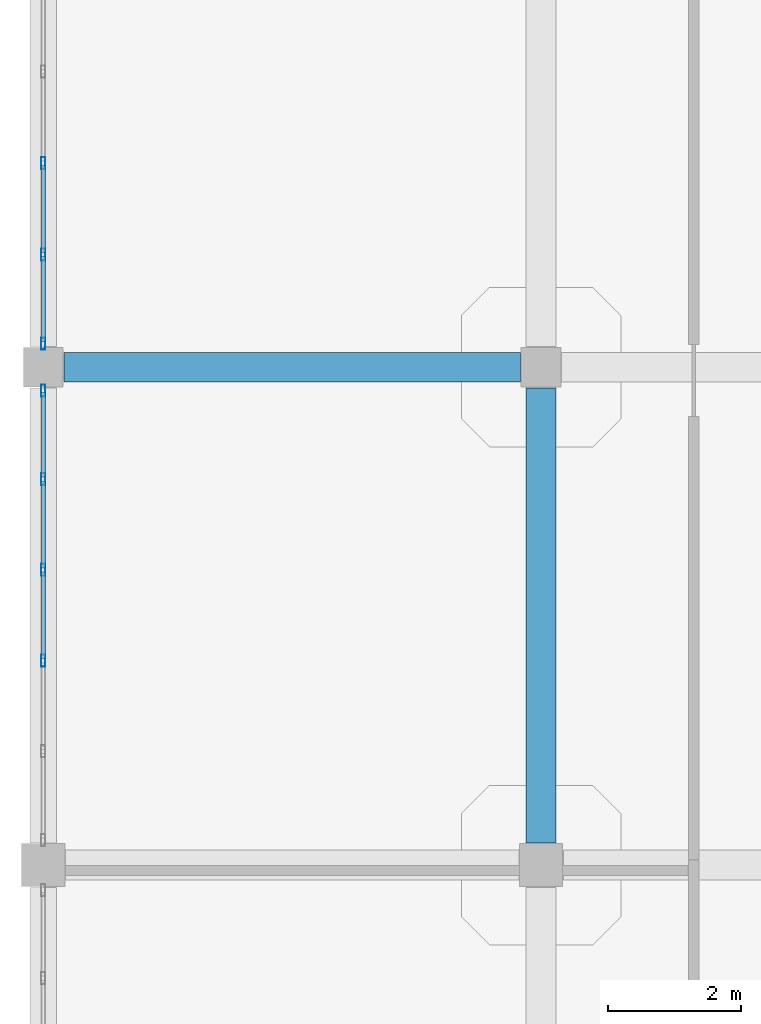
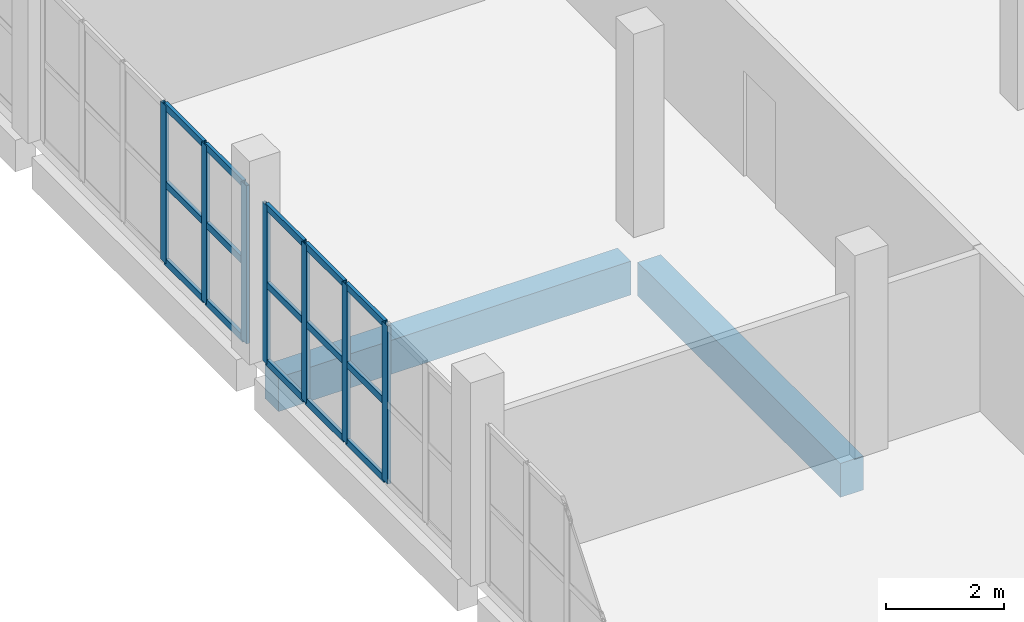
# One storey, part 37 of 164: 22 members, 2 beams, 2 elements without a shape of their own.
"""IFC4 building model written with IfcOpenShell, lengths in metres."""

from ifc_helpers import new_model, si_unit, direction, frame, origin, origin_2d, place, context, subcontext, project, spatial, rectangle, hollow_rectangle, extrude, material, layer, layer_set, material_profile, profile_set, type_object, element, aggregate, save


model = new_model("IFC4")

# Units and contexts
model_context = context("Model", 3, precision=1e-05, world=origin(), true_north=direction((0.0, 1.0)))
body_context = subcontext(model_context, "Body", "Model", "MODEL_VIEW")
ifc_project = project(units=[si_unit("LENGTHUNIT", "METRE"), si_unit("AREAUNIT", "SQUARE_METRE"), si_unit("VOLUMEUNIT", "CUBIC_METRE"), si_unit("PLANEANGLEUNIT", "RADIAN"), si_unit("MASSUNIT", "GRAM", prefix="KILO")], contexts=[model_context])

# Site, building, storey
site_placement = place(None, origin())
site = spatial("IfcSite", under=ifc_project, at=site_placement, CompositionType="ELEMENT")
building_placement = place(site_placement, origin())
building = spatial("IfcBuilding", under=site, at=building_placement, Name="Mawjan Specialist Oncology Clinic", CompositionType="ELEMENT")
storey_placement = place(building_placement, frame((0.0, 0.0, 5.0)))
storey = spatial("IfcBuildingStorey", under=building, at=storey_placement, Name="L01", CompositionType="ELEMENT", Elevation=5.0)

# Beams
ifc_material_1 = material(Name="Concrete C40/50", Category="concrete")
ifc_material_profile_1 = material_profile(ifc_material_1, rectangle(XDim=0.449951171875, YDim=0.699951171875, at=origin_2d()), Name="RC BM 450x700", Category="concrete")
ifc_profile_set_1 = profile_set([ifc_material_profile_1], Name="Concrete C40/50")
beam_type = type_object("IfcBeamType", Name="BM-450x700", PredefinedType="BEAM", material=ifc_profile_set_1)
beam_1_placement = place(storey_placement, frame((0.31005859375, 53.300048828125, -0.8701171875), z_axis=(1.0, 0.0, 0.0), x_axis=(0.0, 1.0, 0.0)))
element("IfcBeam", 1, at=beam_1_placement, inside=storey, type_object=beam_type, Name="L01 Collector Beam BM-L01-0274", PredefinedType="BEAM", context=body_context, shape_type="SweptSolid", body=[
    extrude(rectangle(XDim=0.449951171875, YDim=0.699951171875, at=origin_2d()), origin(), (0.0, 0.0, 1.0), 6.8798828125),
])
beam_2_placement = place(storey_placement, frame((7.5, 46.135009765625, -0.8701171875), z_axis=(0.0, 1.0, 0.0), x_axis=(-1.0, 0.0, 0.0)))
element("IfcBeam", 2, at=beam_2_placement, inside=storey, type_object=beam_type, Name="L01 Collector Beam BM-L01-0433", PredefinedType="BEAM", context=body_context, shape_type="SweptSolid", body=[
    extrude(rectangle(XDim=0.449951171875, YDim=0.699951171875, at=origin_2d()), origin(), (0.0, 0.0, 1.0), 6.85498046875),
])

# Curtain wall, members
ifc_material_2 = material(Name="Unitised spectrally selective aluminium curtain wall", Category="aluminium")
ifc_layer_1 = layer(ifc_material_2, 0.179931640625, Name="Unitised spectrally selective aluminium curtain wall", Category="aluminium")
ifc_layer_set_1 = layer_set([ifc_layer_1], Name="Unitised spectrally selective aluminium curtain wall")
curtain_wall_type_1 = type_object("IfcCurtainWallType", Name="CW-75", PredefinedType="NOTDEFINED", material=ifc_layer_set_1)
curtain_wall_1_placement = place(storey_placement, origin())
curtain_wall_1 = element("IfcCurtainWall", 3, at=curtain_wall_1_placement, inside=storey, type_object=curtain_wall_type_1, Name="L01 Unitised Curtain Wall CW-L01-148", PredefinedType="NOTDEFINED")
ifc_material_3 = material(Name="Thermally broken aluminium 6063-T6", Category="aluminium")
ifc_material_profile_2 = material_profile(ifc_material_3, hollow_rectangle(XDim=0.06494140625, YDim=0.179931640625, WallThickness=0.00390625, at=origin_2d()), Name="ALU MULLION 180x65x4", Category="aluminium")
ifc_profile_set_2 = profile_set([ifc_material_profile_2], Name="Thermally broken aluminium 6063-T6")
member_type_1 = type_object("IfcMemberType", Name="CW-M180", PredefinedType="MULLION", material=ifc_profile_set_2)
member_1_placement = place(storey_placement, frame((0.0, 48.87890625, 0.0), z_axis=(0.0, 0.0, 1.0), x_axis=(-1.0, 0.0, 0.0)))
member_1 = element("IfcMember", 4, at=member_1_placement, type_object=member_type_1, Name="CW-75 mullion 3", PredefinedType="MULLION", context=body_context, shape_type="SweptSolid", body=[
    extrude(hollow_rectangle(XDim=0.06494140625, YDim=0.179931640625, WallThickness=0.00390625, at=origin_2d()), origin(), (0.0, 0.0, 1.0), 3.264892578125),
])
member_2_placement = place(storey_placement, frame((0.0, 50.24609375, 0.0), z_axis=(0.0, 0.0, 1.0), x_axis=(-1.0, 0.0, 0.0)))
member_2 = element("IfcMember", 5, at=member_2_placement, type_object=member_type_1, Name="CW-75 mullion 4", PredefinedType="MULLION", context=body_context, shape_type="SweptSolid", body=[
    extrude(hollow_rectangle(XDim=0.06494140625, YDim=0.179931640625, WallThickness=0.00390625, at=origin_2d()), origin(), (0.0, 0.0, 1.0), 3.264892578125),
])
member_3_placement = place(storey_placement, frame((0.0, 51.613037109375, 0.0), z_axis=(0.0, 0.0, 1.0), x_axis=(-1.0, 0.0, 0.0)))
member_3 = element("IfcMember", 6, at=member_3_placement, type_object=member_type_1, Name="CW-75 mullion 5", PredefinedType="MULLION", context=body_context, shape_type="SweptSolid", body=[
    extrude(hollow_rectangle(XDim=0.06494140625, YDim=0.179931640625, WallThickness=0.00390625, at=origin_2d()), origin(), (0.0, 0.0, 1.0), 3.264892578125),
])
member_4_placement = place(storey_placement, frame((0.0, 52.947509765625, 0.0), z_axis=(0.0, 0.0, 1.0), x_axis=(-1.0, 0.0, 0.0)))
member_4 = element("IfcMember", 7, at=member_4_placement, type_object=member_type_1, Name="CW-75 mullion 6", PredefinedType="MULLION", context=body_context, shape_type="SweptSolid", body=[
    extrude(hollow_rectangle(XDim=0.06494140625, YDim=0.179931640625, WallThickness=0.00390625, at=origin_2d()), origin(), (0.0, 0.0, 1.0), 3.264892578125),
])

ifc_material_4 = material(Name="Unitised spectrally selective aluminium curtain wall", Category="aluminium")
ifc_layer_2 = layer(ifc_material_4, 0.179931640625, Name="Unitised spectrally selective aluminium curtain wall", Category="aluminium")
ifc_layer_set_2 = layer_set([ifc_layer_2], Name="Unitised spectrally selective aluminium curtain wall")
curtain_wall_type_2 = type_object("IfcCurtainWallType", Name="CW-76", PredefinedType="NOTDEFINED", material=ifc_layer_set_2)
curtain_wall_2_placement = place(storey_placement, origin())
curtain_wall_2 = element("IfcCurtainWall", 8, at=curtain_wall_2_placement, inside=storey, type_object=curtain_wall_type_2, Name="L01 Unitised Curtain Wall CW-L01-149", PredefinedType="NOTDEFINED")
member_5_placement = place(storey_placement, frame((0.0, 53.652587890625, 0.0), z_axis=(0.0, 0.0, 1.0), x_axis=(-1.0, 0.0, 0.0)))
member_5 = element("IfcMember", 9, at=member_5_placement, type_object=member_type_1, Name="CW-76 mullion 1", PredefinedType="MULLION", context=body_context, shape_type="SweptSolid", body=[
    extrude(hollow_rectangle(XDim=0.06494140625, YDim=0.179931640625, WallThickness=0.00390625, at=origin_2d()), origin(), (0.0, 0.0, 1.0), 3.264892578125),
])
member_6_placement = place(storey_placement, frame((0.0, 54.9970703125, 0.0), z_axis=(0.0, 0.0, 1.0), x_axis=(-1.0, 0.0, 0.0)))
member_6 = element("IfcMember", 10, at=member_6_placement, type_object=member_type_1, Name="CW-76 mullion 2", PredefinedType="MULLION", context=body_context, shape_type="SweptSolid", body=[
    extrude(hollow_rectangle(XDim=0.06494140625, YDim=0.179931640625, WallThickness=0.00390625, at=origin_2d()), origin(), (0.0, 0.0, 1.0), 3.264892578125),
])
member_7_placement = place(storey_placement, frame((0.0, 56.3740234375, 0.0), z_axis=(0.0, 0.0, 1.0), x_axis=(-1.0, 0.0, 0.0)))
member_7 = element("IfcMember", 11, at=member_7_placement, type_object=member_type_1, Name="CW-76 mullion 3", PredefinedType="MULLION", context=body_context, shape_type="SweptSolid", body=[
    extrude(hollow_rectangle(XDim=0.06494140625, YDim=0.179931640625, WallThickness=0.00390625, at=origin_2d()), origin(), (0.0, 0.0, 1.0), 3.264892578125),
])

# Member
ifc_material_5 = material(Name="Thermally broken aluminium 6063-T6", Category="aluminium")
ifc_material_profile_3 = material_profile(ifc_material_5, hollow_rectangle(XDim=0.06494140625, YDim=0.139892578125, WallThickness=0.00390625, at=origin_2d()), Name="ALU TRANSOM 140x65x4", Category="aluminium")
ifc_profile_set_3 = profile_set([ifc_material_profile_3], Name="Thermally broken aluminium 6063-T6")
member_type_2 = type_object("IfcMemberType", Name="CW-T140", PredefinedType="USERDEFINED", material=ifc_profile_set_3)
member_8_placement = place(storey_placement, frame((0.0, 48.91162109375, 0.032470703125), z_axis=(0.0, 1.0, 0.0), x_axis=(-1.0, 0.0, 0.0)))
member_8 = element("IfcMember", 12, at=member_8_placement, type_object=member_type_2, Name="CW-75 transom 3.1", ObjectType="TRANSOM", PredefinedType="USERDEFINED", context=body_context, shape_type="SweptSolid", body=[
    extrude(hollow_rectangle(XDim=0.06494140625, YDim=0.139892578125, WallThickness=0.00390625, at=origin_2d()), origin(), (0.0, 0.0, 1.0), 1.3017578125),
])

member_9_placement = place(storey_placement, frame((0.0, 48.91162109375, 1.632568359375), z_axis=(0.0, 1.0, 0.0), x_axis=(-1.0, 0.0, 0.0)))
member_9 = element("IfcMember", 13, at=member_9_placement, type_object=member_type_2, Name="CW-75 transom 3.2", ObjectType="TRANSOM", PredefinedType="USERDEFINED", context=body_context, shape_type="SweptSolid", body=[
    extrude(hollow_rectangle(XDim=0.06494140625, YDim=0.139892578125, WallThickness=0.00390625, at=origin_2d()), origin(), (0.0, 0.0, 1.0), 1.3017578125),
])

member_10_placement = place(storey_placement, frame((0.0, 48.91162109375, 3.232421875), z_axis=(0.0, 1.0, 0.0), x_axis=(-1.0, 0.0, 0.0)))
member_10 = element("IfcMember", 14, at=member_10_placement, type_object=member_type_2, Name="CW-75 transom 3.3", ObjectType="TRANSOM", PredefinedType="USERDEFINED", context=body_context, shape_type="SweptSolid", body=[
    extrude(hollow_rectangle(XDim=0.06494140625, YDim=0.139892578125, WallThickness=0.00390625, at=origin_2d()), origin(), (0.0, 0.0, 1.0), 1.3017578125),
])

member_11_placement = place(storey_placement, frame((0.0, 50.278564453125, 0.032470703125), z_axis=(0.0, 1.0, 0.0), x_axis=(-1.0, 0.0, 0.0)))
member_11 = element("IfcMember", 15, at=member_11_placement, type_object=member_type_2, Name="CW-75 transom 4.1", ObjectType="TRANSOM", PredefinedType="USERDEFINED", context=body_context, shape_type="SweptSolid", body=[
    extrude(hollow_rectangle(XDim=0.06494140625, YDim=0.139892578125, WallThickness=0.00390625, at=origin_2d()), origin(), (0.0, 0.0, 1.0), 1.302001953125),
])

member_12_placement = place(storey_placement, frame((0.0, 50.278564453125, 1.632568359375), z_axis=(0.0, 1.0, 0.0), x_axis=(-1.0, 0.0, 0.0)))
member_12 = element("IfcMember", 16, at=member_12_placement, type_object=member_type_2, Name="CW-75 transom 4.2", ObjectType="TRANSOM", PredefinedType="USERDEFINED", context=body_context, shape_type="SweptSolid", body=[
    extrude(hollow_rectangle(XDim=0.06494140625, YDim=0.139892578125, WallThickness=0.00390625, at=origin_2d()), origin(), (0.0, 0.0, 1.0), 1.302001953125),
])

member_13_placement = place(storey_placement, frame((0.0, 50.278564453125, 3.232421875), z_axis=(0.0, 1.0, 0.0), x_axis=(-1.0, 0.0, 0.0)))
member_13 = element("IfcMember", 17, at=member_13_placement, type_object=member_type_2, Name="CW-75 transom 4.3", ObjectType="TRANSOM", PredefinedType="USERDEFINED", context=body_context, shape_type="SweptSolid", body=[
    extrude(hollow_rectangle(XDim=0.06494140625, YDim=0.139892578125, WallThickness=0.00390625, at=origin_2d()), origin(), (0.0, 0.0, 1.0), 1.302001953125),
])

member_14_placement = place(storey_placement, frame((0.0, 51.6455078125, 0.032470703125), z_axis=(0.0, 1.0, 0.0), x_axis=(-1.0, 0.0, 0.0)))
member_14 = element("IfcMember", 18, at=member_14_placement, type_object=member_type_2, Name="CW-75 transom 5.1", ObjectType="TRANSOM", PredefinedType="USERDEFINED", context=body_context, shape_type="SweptSolid", body=[
    extrude(hollow_rectangle(XDim=0.06494140625, YDim=0.139892578125, WallThickness=0.00390625, at=origin_2d()), origin(), (0.0, 0.0, 1.0), 1.26953125),
])

member_15_placement = place(storey_placement, frame((0.0, 51.6455078125, 1.632568359375), z_axis=(0.0, 1.0, 0.0), x_axis=(-1.0, 0.0, 0.0)))
member_15 = element("IfcMember", 19, at=member_15_placement, type_object=member_type_2, Name="CW-75 transom 5.2", ObjectType="TRANSOM", PredefinedType="USERDEFINED", context=body_context, shape_type="SweptSolid", body=[
    extrude(hollow_rectangle(XDim=0.06494140625, YDim=0.139892578125, WallThickness=0.00390625, at=origin_2d()), origin(), (0.0, 0.0, 1.0), 1.26953125),
])

member_16_placement = place(storey_placement, frame((0.0, 51.6455078125, 3.232421875), z_axis=(0.0, 1.0, 0.0), x_axis=(-1.0, 0.0, 0.0)))
member_16 = element("IfcMember", 20, at=member_16_placement, type_object=member_type_2, Name="CW-75 transom 5.3", ObjectType="TRANSOM", PredefinedType="USERDEFINED", context=body_context, shape_type="SweptSolid", body=[
    extrude(hollow_rectangle(XDim=0.06494140625, YDim=0.139892578125, WallThickness=0.00390625, at=origin_2d()), origin(), (0.0, 0.0, 1.0), 1.26953125),
])

aggregate(curtain_wall_1, [member_1, member_2, member_3, member_4, member_8, member_9, member_10, member_11, member_12, member_13, member_14, member_15, member_16])

member_17_placement = place(storey_placement, frame((0.0, 53.68505859375, 0.032470703125), z_axis=(0.0, 1.0, 0.0), x_axis=(-1.0, 0.0, 0.0)))
member_17 = element("IfcMember", 21, at=member_17_placement, type_object=member_type_2, Name="CW-76 transom 1.1", ObjectType="TRANSOM", PredefinedType="USERDEFINED", context=body_context, shape_type="SweptSolid", body=[
    extrude(hollow_rectangle(XDim=0.06494140625, YDim=0.139892578125, WallThickness=0.00390625, at=origin_2d()), origin(), (0.0, 0.0, 1.0), 1.279541015625),
])

member_18_placement = place(storey_placement, frame((0.0, 53.68505859375, 1.632568359375), z_axis=(0.0, 1.0, 0.0), x_axis=(-1.0, 0.0, 0.0)))
member_18 = element("IfcMember", 22, at=member_18_placement, type_object=member_type_2, Name="CW-76 transom 1.2", ObjectType="TRANSOM", PredefinedType="USERDEFINED", context=body_context, shape_type="SweptSolid", body=[
    extrude(hollow_rectangle(XDim=0.06494140625, YDim=0.139892578125, WallThickness=0.00390625, at=origin_2d()), origin(), (0.0, 0.0, 1.0), 1.279541015625),
])

member_19_placement = place(storey_placement, frame((0.0, 53.68505859375, 3.232421875), z_axis=(0.0, 1.0, 0.0), x_axis=(-1.0, 0.0, 0.0)))
member_19 = element("IfcMember", 23, at=member_19_placement, type_object=member_type_2, Name="CW-76 transom 1.3", ObjectType="TRANSOM", PredefinedType="USERDEFINED", context=body_context, shape_type="SweptSolid", body=[
    extrude(hollow_rectangle(XDim=0.06494140625, YDim=0.139892578125, WallThickness=0.00390625, at=origin_2d()), origin(), (0.0, 0.0, 1.0), 1.279541015625),
])

member_20_placement = place(storey_placement, frame((0.0, 55.029541015625, 0.032470703125), z_axis=(0.0, 1.0, 0.0), x_axis=(-1.0, 0.0, 0.0)))
member_20 = element("IfcMember", 24, at=member_20_placement, type_object=member_type_2, Name="CW-76 transom 2.1", ObjectType="TRANSOM", PredefinedType="USERDEFINED", context=body_context, shape_type="SweptSolid", body=[
    extrude(hollow_rectangle(XDim=0.06494140625, YDim=0.139892578125, WallThickness=0.00390625, at=origin_2d()), origin(), (0.0, 0.0, 1.0), 1.31201171875),
])

member_21_placement = place(storey_placement, frame((0.0, 55.029541015625, 1.632568359375), z_axis=(0.0, 1.0, 0.0), x_axis=(-1.0, 0.0, 0.0)))
member_21 = element("IfcMember", 25, at=member_21_placement, type_object=member_type_2, Name="CW-76 transom 2.2", ObjectType="TRANSOM", PredefinedType="USERDEFINED", context=body_context, shape_type="SweptSolid", body=[
    extrude(hollow_rectangle(XDim=0.06494140625, YDim=0.139892578125, WallThickness=0.00390625, at=origin_2d()), origin(), (0.0, 0.0, 1.0), 1.31201171875),
])

member_22_placement = place(storey_placement, frame((0.0, 55.029541015625, 3.232421875), z_axis=(0.0, 1.0, 0.0), x_axis=(-1.0, 0.0, 0.0)))
member_22 = element("IfcMember", 26, at=member_22_placement, type_object=member_type_2, Name="CW-76 transom 2.3", ObjectType="TRANSOM", PredefinedType="USERDEFINED", context=body_context, shape_type="SweptSolid", body=[
    extrude(hollow_rectangle(XDim=0.06494140625, YDim=0.139892578125, WallThickness=0.00390625, at=origin_2d()), origin(), (0.0, 0.0, 1.0), 1.31201171875),
])

aggregate(curtain_wall_2, [member_5, member_6, member_7, member_17, member_18, member_19, member_20, member_21, member_22])

save(model, "model.ifc")
